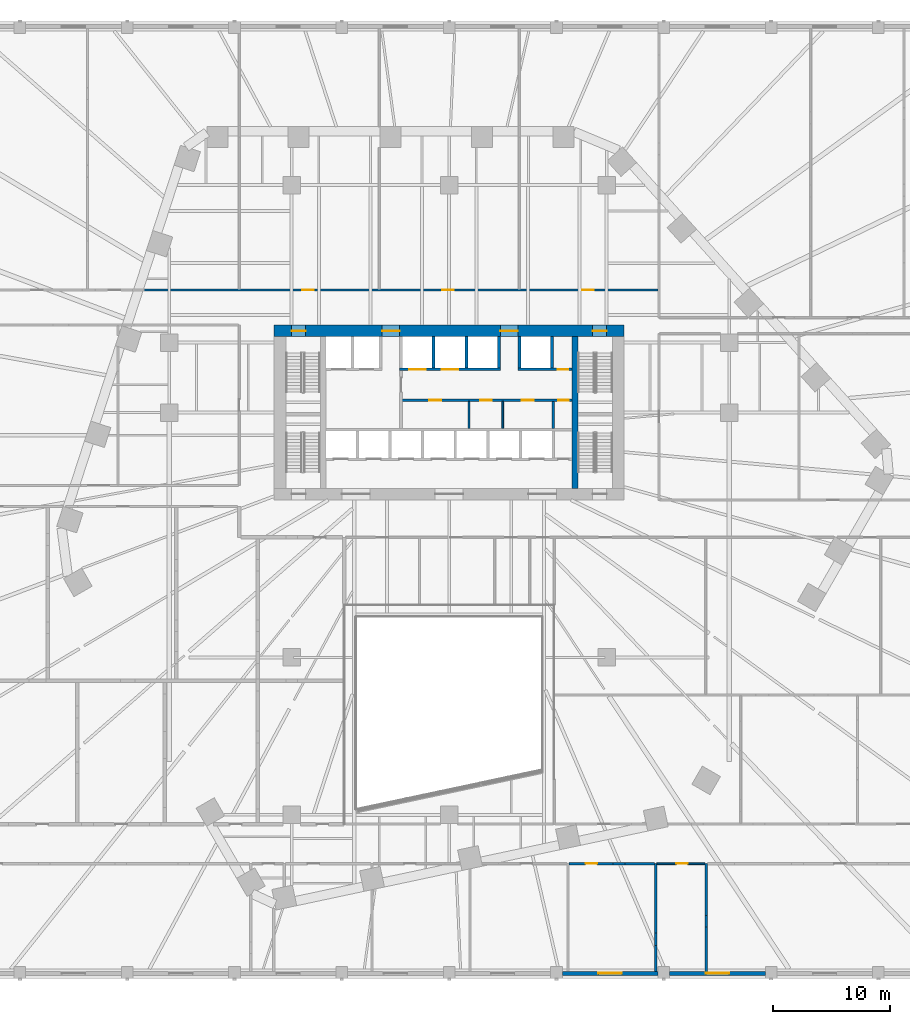
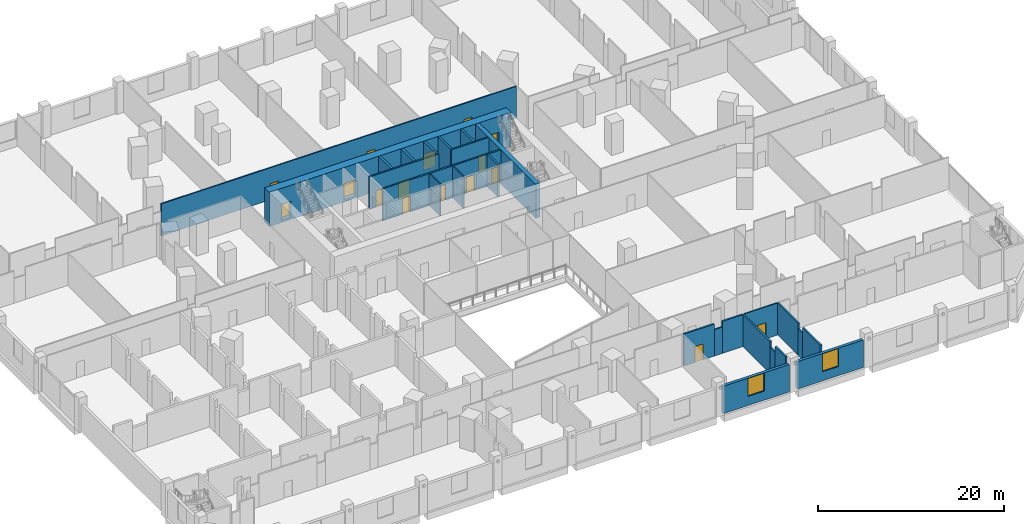
# One storey, part 17 of 33: 26 walls, 16 doors, 2 windows, 18 openings.
"""IFC4 building model written with IfcOpenShell, lengths in metres."""

from ifc_helpers import new_model, si_unit, direction, frame, frame_2d, origin, place, context, subcontext, project, spatial, rectangle, extrude, material, layer, layer_set, type_object, element, fill, save


model = new_model("IFC4")

# Units and contexts
model_context = context("Model", 3, precision=1e-05, world=origin(), true_north=direction((0.0, 1.0)))
body_context = subcontext(model_context, "Body", "Model", "MODEL_VIEW")
ifc_project = project(units=[si_unit("LENGTHUNIT", "METRE"), si_unit("AREAUNIT", "SQUARE_METRE"), si_unit("VOLUMEUNIT", "CUBIC_METRE"), si_unit("PLANEANGLEUNIT", "RADIAN"), si_unit("MASSUNIT", "GRAM", prefix="KILO")], contexts=[model_context])

# Site, building, storey
site_placement = place(None, origin())
site = spatial("IfcSite", under=ifc_project, at=site_placement, CompositionType="ELEMENT")
building_placement = place(site_placement, origin())
building = spatial("IfcBuilding", under=site, at=building_placement, Name="Isthmus Gate Tower", CompositionType="ELEMENT")
storey_placement = place(building_placement, frame((0.0, 0.0, 22.5)))
storey = spatial("IfcBuildingStorey", under=building, at=storey_placement, Name="L03", CompositionType="ELEMENT", Elevation=22.5)

# Wall, opening, door
ifc_material_1 = material(Name="Concrete f'c 30 MPa", Category="concrete")
ifc_layer_1 = layer(ifc_material_1, 0.199951171875)
ifc_layer_set_1 = layer_set([ifc_layer_1], Name="Fire-rated block wall 200")
wall_type_1 = type_object("IfcWallType", Name="Fire-rated block wall 200", PredefinedType="PARTITIONING", material=ifc_layer_set_1)
wall_1_placement = place(storey_placement, frame((10.2919921875, -31.178955078125, 0.0), z_axis=(0.0, 0.0, 1.0), x_axis=(1.0, 0.0, 0.0)))
wall_1 = element("IfcWall", 1, at=wall_1_placement, inside=storey, type_object=wall_type_1, Name="Fire-rated wall", PredefinedType="PARTITIONING", context=body_context, shape_type="SweptSolid", body=[
    extrude(rectangle(XDim=3.769775390625, YDim=0.199951171875, at=frame_2d((1.884765625, 0.0))), origin(), (0.0, 0.0, 1.0), 4.199951171875),
])
opening_1_placement = place(wall_1_placement, frame((1.39990234375, 0.0, 0.0)))
opening_1 = element("IfcOpeningElement", 2, at=opening_1_placement, cuts=wall_1, Name="Opening DP03-51", PredefinedType="OPENING", context=body_context, shape_type="SweptSolid", body=[
    extrude(rectangle(XDim=1.0, YDim=2.10009765625, at=frame_2d((0.5, 1.050048828125))), frame((0.0, 0.10986328125, 0.0), z_axis=(0.0, -1.0, 0.0), x_axis=(1.0, 0.0, 0.0)), (0.0, 0.0, 1.0), 0.219970703125),
])
ifc_material_2 = material(Name="Steel fire door with intumescent seals", Category="steel")
door_type_1 = type_object("IfcDoorType", Name="Fire door 1000 x 2100", OperationType="SINGLE_SWING_LEFT", PredefinedType="DOOR", material=ifc_material_2)
door_1_placement = place(opening_1_placement, origin())
door_1 = element("IfcDoor", 3, at=door_1_placement, inside=storey, type_object=door_type_1, Name="Door DP03-51", OperationType="SINGLE_SWING_LEFT", OverallHeight=2.10009765625, OverallWidth=1.0, PredefinedType="DOOR", context=body_context, shape_type="SweptSolid", body=[
    extrude(rectangle(XDim=1.0, YDim=2.10009765625, at=frame_2d((0.5, 1.050048828125))), frame((0.0, 0.02490234375, 0.0), z_axis=(0.0, -1.0, 0.0), x_axis=(1.0, 0.0, 0.0)), (0.0, 0.0, 1.0), 0.050048828125),
])
fill(opening_1, door_1)

# Walls
wall_2_placement = place(storey_placement, frame((14.061767578125, -31.178955078125, 0.0), z_axis=(0.0, 0.0, 1.0), x_axis=(1.0, 0.0, 0.0)))
element("IfcWall", 4, at=wall_2_placement, inside=storey, type_object=wall_type_1, Name="Fire-rated wall", PredefinedType="PARTITIONING", context=body_context, shape_type="SweptSolid", body=[
    extrude(rectangle(XDim=1.0, YDim=0.199951171875, at=frame_2d((0.5, 0.0))), origin(), (0.0, 0.0, 1.0), 3.45068359375),
])
wall_3_placement = place(storey_placement, frame((15.061767578125, -31.178955078125, 0.0), z_axis=(0.0, 0.0, 1.0), x_axis=(1.0, 0.0, 0.0)))
element("IfcWall", 5, at=wall_3_placement, inside=storey, type_object=wall_type_1, Name="Fire-rated wall", PredefinedType="PARTITIONING", context=body_context, shape_type="SweptSolid", body=[
    extrude(rectangle(XDim=2.55224609375, YDim=0.199951171875, at=frame_2d((1.276123046875, 0.0))), origin(), (0.0, 0.0, 1.0), 4.199951171875),
])
wall_4_placement = place(storey_placement, frame((17.714111328125, -40.39990234375, 0.0), z_axis=(0.0, 0.0, 1.0), x_axis=(0.0, 1.0, 0.0)))
element("IfcWall", 6, at=wall_4_placement, inside=storey, type_object=wall_type_1, Name="Fire-rated wall", PredefinedType="PARTITIONING", context=body_context, shape_type="SweptSolid", body=[
    extrude(rectangle(XDim=2.20849609375, YDim=0.199951171875, at=frame_2d((1.104248046875, 0.0))), origin(), (0.0, 0.0, 1.0), 4.199951171875),
])
wall_5_placement = place(storey_placement, frame((17.714111328125, -38.19140625, 0.0), z_axis=(0.0, 0.0, 1.0), x_axis=(0.0, 1.0, 0.0)))
element("IfcWall", 7, at=wall_5_placement, inside=storey, type_object=wall_type_1, Name="Fire-rated wall", PredefinedType="PARTITIONING", context=body_context, shape_type="SweptSolid", body=[
    extrude(rectangle(XDim=1.059814453125, YDim=0.199951171875, at=frame_2d((0.52978515625, 0.0))), origin(), (0.0, 0.0, 1.0), 3.45068359375),
])
wall_6_placement = place(storey_placement, frame((17.714111328125, -37.131591796875, 0.0), z_axis=(0.0, 0.0, 1.0), x_axis=(0.0, 1.0, 0.0)))
element("IfcWall", 8, at=wall_6_placement, inside=storey, type_object=wall_type_1, Name="Fire-rated wall", PredefinedType="PARTITIONING", context=body_context, shape_type="SweptSolid", body=[
    extrude(rectangle(XDim=5.95263671875, YDim=0.199951171875, at=frame_2d((2.976318359375, 0.0))), origin(), (0.0, 0.0, 1.0), 4.199951171875),
])
wall_7_placement = place(storey_placement, frame((22.031982421875, -40.39990234375, 0.0), z_axis=(0.0, 0.0, 1.0), x_axis=(0.0, 1.0, 0.0)))
element("IfcWall", 9, at=wall_7_placement, inside=storey, type_object=wall_type_1, Name="Fire-rated wall", PredefinedType="PARTITIONING", context=body_context, shape_type="SweptSolid", body=[
    extrude(rectangle(XDim=3.776123046875, YDim=0.199951171875, at=frame_2d((1.88818359375, 0.0))), origin(), (0.0, 0.0, 1.0), 4.199951171875),
])
wall_8_placement = place(storey_placement, frame((22.031982421875, -36.623779296875, 0.0), z_axis=(0.0, 0.0, 1.0), x_axis=(0.0, 1.0, 0.0)))
element("IfcWall", 10, at=wall_8_placement, inside=storey, type_object=wall_type_1, Name="Fire-rated wall", PredefinedType="PARTITIONING", context=body_context, shape_type="SweptSolid", body=[
    extrude(rectangle(XDim=1.0, YDim=0.199951171875, at=frame_2d((0.5, 0.0))), origin(), (0.0, 0.0, 1.0), 3.45068359375),
])
wall_9_placement = place(storey_placement, frame((22.031982421875, -35.623779296875, 0.0), z_axis=(0.0, 0.0, 1.0), x_axis=(0.0, 1.0, 0.0)))
element("IfcWall", 11, at=wall_9_placement, inside=storey, type_object=wall_type_1, Name="Fire-rated wall", PredefinedType="PARTITIONING", context=body_context, shape_type="SweptSolid", body=[
    extrude(rectangle(XDim=4.44482421875, YDim=0.199951171875, at=frame_2d((2.222412109375, 0.0))), origin(), (0.0, 0.0, 1.0), 4.199951171875),
])

# Wall, opening, window
ifc_material_3 = material(Name="Precast concrete C40/50, limestone-faced", Category="masonry")
ifc_layer_2 = layer(ifc_material_3, 0.35009765625)
ifc_layer_set_2 = layer_set([ifc_layer_2], Name="PODIUM CLADDING WALL 350")
wall_type_2 = type_object("IfcWallType", Name="PODIUM CLADDING WALL 350", PredefinedType="SOLIDWALL", material=ifc_layer_set_2)
wall_10_placement = place(storey_placement, frame((9.699951171875, -40.574951171875, -0.300048828125), z_axis=(0.0, 0.0, 1.0), x_axis=(1.0, 0.0, 0.0)))
wall_10 = element("IfcWall", 12, at=wall_10_placement, inside=storey, type_object=wall_type_2, Name="PODIUM WALL", PredefinedType="SOLIDWALL", context=body_context, shape_type="SweptSolid", body=[
    extrude(rectangle(XDim=8.199951171875, YDim=0.35009765625, at=frame_2d((4.10009765625, 0.0))), origin(), (0.0, 0.0, 1.0), 3.60009765625),
])
opening_2_placement = place(wall_10_placement, frame((3.10009765625, 0.0, 1.199951171875)))
opening_2 = element("IfcOpeningElement", 13, at=opening_2_placement, cuts=wall_10, Name="Opening W039", PredefinedType="OPENING", context=body_context, shape_type="SweptSolid", body=[
    extrude(rectangle(XDim=2.0, YDim=2.35009765625, at=frame_2d((1.0, 1.175048828125))), frame((0.0, 0.18505859375, 0.0), z_axis=(0.0, -1.0, 0.0), x_axis=(1.0, 0.0, 0.0)), (0.0, 0.0, 1.0), 0.3701171875),
])
ifc_material_4 = material(Name="Aluminium, pale champagne anodised, laminated glass", Category="aluminium")
window_type = type_object("IfcWindowType", Name="PODIUM SLOT WINDOW 2000 X 2350", PartitioningType="SINGLE_PANEL", PredefinedType="WINDOW", material=ifc_material_4)
window_1_placement = place(opening_2_placement, origin())
window_1 = element("IfcWindow", 14, at=window_1_placement, inside=storey, type_object=window_type, Name="SLOT WINDOW", OverallHeight=2.35009765625, OverallWidth=2.0, PartitioningType="SINGLE_PANEL", PredefinedType="WINDOW", context=body_context, shape_type="SweptSolid", body=[
    extrude(rectangle(XDim=2.0, YDim=2.35009765625, at=frame_2d((1.0, 1.175048828125))), frame((0.0, 0.030029296875, 0.0), z_axis=(0.0, -1.0, 0.0), x_axis=(1.0, 0.0, 0.0)), (0.0, 0.0, 1.0), 0.06005859375),
])
fill(opening_2, window_1)

wall_11_placement = place(storey_placement, frame((18.89990234375, -40.574951171875, -0.300048828125), z_axis=(0.0, 0.0, 1.0), x_axis=(1.0, 0.0, 0.0)))
wall_11 = element("IfcWall", 15, at=wall_11_placement, inside=storey, type_object=wall_type_2, Name="PODIUM WALL", PredefinedType="SOLIDWALL", context=body_context, shape_type="SweptSolid", body=[
    extrude(rectangle(XDim=8.2001953125, YDim=0.35009765625, at=frame_2d((4.10009765625, 0.0))), origin(), (0.0, 0.0, 1.0), 3.60009765625),
])
opening_3_placement = place(wall_11_placement, frame((3.10009765625, 0.0, 1.199951171875)))
opening_3 = element("IfcOpeningElement", 16, at=opening_3_placement, cuts=wall_11, Name="Opening W040", PredefinedType="OPENING", context=body_context, shape_type="SweptSolid", body=[
    extrude(rectangle(XDim=2.0, YDim=2.35009765625, at=frame_2d((1.0, 1.175048828125))), frame((0.0, 0.18505859375, 0.0), z_axis=(0.0, -1.0, 0.0), x_axis=(1.0, 0.0, 0.0)), (0.0, 0.0, 1.0), 0.3701171875),
])
window_2_placement = place(opening_3_placement, origin())
window_2 = element("IfcWindow", 17, at=window_2_placement, inside=storey, type_object=window_type, Name="SLOT WINDOW", OverallHeight=2.35009765625, OverallWidth=2.0, PartitioningType="SINGLE_PANEL", PredefinedType="WINDOW", context=body_context, shape_type="SweptSolid", body=[
    extrude(rectangle(XDim=2.0, YDim=2.35009765625, at=frame_2d((1.0, 1.175048828125))), frame((0.0, 0.030029296875, 0.0), z_axis=(0.0, -1.0, 0.0), x_axis=(1.0, 0.0, 0.0)), (0.0, 0.0, 1.0), 0.06005859375),
])
fill(opening_3, window_2)

# Wall, opening, door
ifc_material_5 = material(Name="Gypsum board on cold-formed steel studs", Category="steel")
ifc_layer_3 = layer(ifc_material_5, 0.14990234375)
ifc_layer_set_3 = layer_set([ifc_layer_3])
wall_type_3 = type_object("IfcWallType", Name="Partition 150 gypsum board on steel studs", PredefinedType="PARTITIONING", material=ifc_layer_set_3)
wall_12_placement = place(storey_placement, frame((17.81396484375, -31.178955078125, 0.0), z_axis=(0.0, 0.0, 1.0), x_axis=(1.0, 0.0, 0.0)))
wall_12 = element("IfcWall", 18, at=wall_12_placement, inside=storey, type_object=wall_type_3, Name="Partition", PredefinedType="PARTITIONING", context=body_context, shape_type="SweptSolid", body=[
    extrude(rectangle(XDim=4.117919921875, YDim=0.14990234375, at=frame_2d((2.05908203125, 0.0))), origin(), (0.0, 0.0, 1.0), 4.199951171875),
])
opening_4_placement = place(wall_12_placement, frame((1.64990234375, 0.0, 0.0)))
opening_4 = element("IfcOpeningElement", 19, at=opening_4_placement, cuts=wall_12, Name="Opening DP03-52", PredefinedType="OPENING", context=body_context, shape_type="SweptSolid", body=[
    extrude(rectangle(XDim=1.0, YDim=2.10009765625, at=frame_2d((0.5, 1.050048828125))), frame((0.0, 0.0849609375, 0.0), z_axis=(0.0, -1.0, 0.0), x_axis=(1.0, 0.0, 0.0)), (0.0, 0.0, 1.0), 0.169921875),
])
ifc_material_6 = material(Name="Hollow metal frame with solid-core timber leaf", Category="wood")
door_type_2 = type_object("IfcDoorType", Name="Single swing door 1000 x 2100", OperationType="SINGLE_SWING_LEFT", PredefinedType="DOOR", material=ifc_material_6)
door_2_placement = place(opening_4_placement, origin())
door_2 = element("IfcDoor", 20, at=door_2_placement, inside=storey, type_object=door_type_2, Name="Door DP03-52", OperationType="SINGLE_SWING_LEFT", OverallHeight=2.10009765625, OverallWidth=1.0, PredefinedType="DOOR", context=body_context, shape_type="SweptSolid", body=[
    extrude(rectangle(XDim=1.0, YDim=2.10009765625, at=frame_2d((0.5, 1.050048828125))), frame((0.0, 0.02490234375, 0.0), z_axis=(0.0, -1.0, 0.0), x_axis=(1.0, 0.0, 0.0)), (0.0, 0.0, 1.0), 0.050048828125),
])
fill(opening_4, door_2)

# Wall, openings, doors
wall_13_placement = place(storey_placement, frame((-26.142333984375, 18.0, 0.0), z_axis=(0.0, 0.0, 1.0), x_axis=(1.0, 0.0, 0.0)))
wall_13 = element("IfcWall", 21, at=wall_13_placement, inside=storey, type_object=wall_type_3, Name="Partition", PredefinedType="PARTITIONING", context=body_context, shape_type="SweptSolid", body=[
    extrude(rectangle(XDim=44.0673828125, YDim=0.14990234375, at=frame_2d((22.03369140625, 0.0))), origin(), (0.0, 0.0, 1.0), 4.199951171875),
])
opening_5_placement = place(wall_13_placement, frame((13.54248046875, 0.0, 0.0)))
opening_5 = element("IfcOpeningElement", 22, at=opening_5_placement, cuts=wall_13, Name="Opening DP03-34", PredefinedType="OPENING", context=body_context, shape_type="SweptSolid", body=[
    extrude(rectangle(XDim=1.0, YDim=2.10009765625, at=frame_2d((0.5, 1.050048828125))), frame((0.0, 0.0849609375, 0.0), z_axis=(0.0, -1.0, 0.0), x_axis=(1.0, 0.0, 0.0)), (0.0, 0.0, 1.0), 0.169921875),
])
opening_6_placement = place(wall_13_placement, frame((25.54248046875, 0.0, 0.0)))
opening_6 = element("IfcOpeningElement", 23, at=opening_6_placement, cuts=wall_13, Name="Opening DP03-35", PredefinedType="OPENING", context=body_context, shape_type="SweptSolid", body=[
    extrude(rectangle(XDim=1.0, YDim=2.10009765625, at=frame_2d((0.5, 1.050048828125))), frame((0.0, 0.0849609375, 0.0), z_axis=(0.0, -1.0, 0.0), x_axis=(1.0, 0.0, 0.0)), (0.0, 0.0, 1.0), 0.169921875),
])
opening_7_placement = place(wall_13_placement, frame((37.54248046875, 0.0, 0.0)))
opening_7 = element("IfcOpeningElement", 24, at=opening_7_placement, cuts=wall_13, Name="Opening DP03-36", PredefinedType="OPENING", context=body_context, shape_type="SweptSolid", body=[
    extrude(rectangle(XDim=1.0, YDim=2.10009765625, at=frame_2d((0.5, 1.050048828125))), frame((0.0, 0.0849609375, 0.0), z_axis=(0.0, -1.0, 0.0), x_axis=(1.0, 0.0, 0.0)), (0.0, 0.0, 1.0), 0.169921875),
])
door_3_placement = place(opening_5_placement, origin())
door_3 = element("IfcDoor", 25, at=door_3_placement, inside=storey, type_object=door_type_2, Name="Door DP03-34", OperationType="SINGLE_SWING_LEFT", OverallHeight=2.10009765625, OverallWidth=1.0, PredefinedType="DOOR", context=body_context, shape_type="SweptSolid", body=[
    extrude(rectangle(XDim=1.0, YDim=2.10009765625, at=frame_2d((0.5, 1.050048828125))), frame((0.0, 0.02490234375, 0.0), z_axis=(0.0, -1.0, 0.0), x_axis=(1.0, 0.0, 0.0)), (0.0, 0.0, 1.0), 0.050048828125),
])
fill(opening_5, door_3)
door_4_placement = place(opening_6_placement, origin())
door_4 = element("IfcDoor", 26, at=door_4_placement, inside=storey, type_object=door_type_2, Name="Door DP03-35", OperationType="SINGLE_SWING_LEFT", OverallHeight=2.10009765625, OverallWidth=1.0, PredefinedType="DOOR", context=body_context, shape_type="SweptSolid", body=[
    extrude(rectangle(XDim=1.0, YDim=2.10009765625, at=frame_2d((0.5, 1.050048828125))), frame((0.0, 0.02490234375, 0.0), z_axis=(0.0, -1.0, 0.0), x_axis=(1.0, 0.0, 0.0)), (0.0, 0.0, 1.0), 0.050048828125),
])
fill(opening_6, door_4)
door_5_placement = place(opening_7_placement, origin())
door_5 = element("IfcDoor", 27, at=door_5_placement, inside=storey, type_object=door_type_2, Name="Door DP03-36", OperationType="SINGLE_SWING_LEFT", OverallHeight=2.10009765625, OverallWidth=1.0, PredefinedType="DOOR", context=body_context, shape_type="SweptSolid", body=[
    extrude(rectangle(XDim=1.0, YDim=2.10009765625, at=frame_2d((0.5, 1.050048828125))), frame((0.0, 0.02490234375, 0.0), z_axis=(0.0, -1.0, 0.0), x_axis=(1.0, 0.0, 0.0)), (0.0, 0.0, 1.0), 0.050048828125),
])
fill(opening_7, door_5)

# Wall
ifc_material_7 = material(Name="Concrete f'c 70 MPa", Category="concrete")
ifc_layer_4 = layer(ifc_material_7, 0.5)
ifc_layer_set_4 = layer_set([ifc_layer_4], Name="RC CORE SPINE WALL 500 F'C 70")
wall_type_4 = type_object("IfcWallType", Name="RC CORE SPINE WALL 500 F'C 70", PredefinedType="SOLIDWALL", material=ifc_layer_set_4)
wall_14_placement = place(storey_placement, frame((10.800048828125, 1.0, -0.300048828125), z_axis=(0.0, 0.0, 1.0), x_axis=(0.0, 1.0, 0.0)))
element("IfcWall", 28, at=wall_14_placement, inside=storey, type_object=wall_type_4, Name="str-corewall-L03-SPE", PredefinedType="SOLIDWALL", context=body_context, shape_type="SweptSolid", body=[
    extrude(rectangle(XDim=13.0, YDim=0.5, at=frame_2d((6.5, 0.0))), origin(), (0.0, 0.0, 1.0), 4.5),
])

# Wall, openings, doors
ifc_material_8 = material(Name="Concrete f'c 70 MPa", Category="concrete")
ifc_layer_5 = layer(ifc_material_8, 1.0)
ifc_layer_set_5 = layer_set([ifc_layer_5], Name="RC CORE WALL 1000 F'C 70")
wall_type_5 = type_object("IfcWallType", Name="RC CORE WALL 1000 F'C 70", PredefinedType="SOLIDWALL", material=ifc_layer_set_5)
wall_15_placement = place(storey_placement, frame((-15.0, 14.5, -0.300048828125), z_axis=(0.0, 0.0, 1.0), x_axis=(1.0, 0.0, 0.0)))
wall_15 = element("IfcWall", 29, at=wall_15_placement, inside=storey, type_object=wall_type_5, Name="str-corewall-L03-N", PredefinedType="SOLIDWALL", context=body_context, shape_type="SweptSolid", body=[
    extrude(rectangle(XDim=30.0, YDim=1.0, at=frame_2d((15.0, 0.0))), origin(), (0.0, 0.0, 1.0), 4.5),
])
opening_8_placement = place(wall_15_placement, frame((9.25, 0.0, 0.300048828125)))
opening_8 = element("IfcOpeningElement", 30, at=opening_8_placement, cuts=wall_15, Name="Opening DC-A04-11", PredefinedType="OPENING", context=body_context, shape_type="SweptSolid", body=[
    extrude(rectangle(XDim=1.5, YDim=2.10009765625, at=frame_2d((0.75, 1.050048828125))), frame((0.0, 0.510009765625, 0.0), z_axis=(0.0, -1.0, 0.0), x_axis=(1.0, 0.0, 0.0)), (0.0, 0.0, 1.0), 1.02001953125),
])
opening_9_placement = place(wall_15_placement, frame((19.39990234375, 0.0, 0.300048828125)))
opening_9 = element("IfcOpeningElement", 31, at=opening_9_placement, cuts=wall_15, Name="Opening DC-A04-12", PredefinedType="OPENING", context=body_context, shape_type="SweptSolid", body=[
    extrude(rectangle(XDim=1.5, YDim=2.10009765625, at=frame_2d((0.75, 1.050048828125))), frame((0.0, 0.510009765625, 0.0), z_axis=(0.0, -1.0, 0.0), x_axis=(1.0, 0.0, 0.0)), (0.0, 0.0, 1.0), 1.02001953125),
])
opening_10_placement = place(wall_15_placement, frame((1.5, 0.0, 0.300048828125)))
opening_10 = element("IfcOpeningElement", 32, at=opening_10_placement, cuts=wall_15, Name="Opening DC-A04-13", PredefinedType="OPENING", context=body_context, shape_type="SweptSolid", body=[
    extrude(rectangle(XDim=1.199951171875, YDim=2.10009765625, at=frame_2d((0.60009765625, 1.050048828125))), frame((0.0, 0.510009765625, 0.0), z_axis=(0.0, -1.0, 0.0), x_axis=(1.0, 0.0, 0.0)), (0.0, 0.0, 1.0), 1.02001953125),
])
opening_11_placement = place(wall_15_placement, frame((27.300048828125, 0.0, 0.300048828125)))
opening_11 = element("IfcOpeningElement", 33, at=opening_11_placement, cuts=wall_15, Name="Opening DC-A04-14", PredefinedType="OPENING", context=body_context, shape_type="SweptSolid", body=[
    extrude(rectangle(XDim=1.199951171875, YDim=2.10009765625, at=frame_2d((0.60009765625, 1.050048828125))), frame((0.0, 0.510009765625, 0.0), z_axis=(0.0, -1.0, 0.0), x_axis=(1.0, 0.0, 0.0)), (0.0, 0.0, 1.0), 1.02001953125),
])
ifc_material_9 = material(Name="Steel door leaf, fire-rated", Category="steel")
door_type_3 = type_object("IfcDoorType", Name="LOBBY FIRE DOOR 1500 X 2100 60 MIN", OperationType="DOUBLE_DOOR_SINGLE_SWING", PredefinedType="DOOR", material=ifc_material_9)
door_6_placement = place(opening_9_placement, origin())
door_6 = element("IfcDoor", 34, at=door_6_placement, inside=storey, type_object=door_type_3, Name="Lobby Door PN-E", OperationType="DOUBLE_DOOR_SINGLE_SWING", OverallHeight=2.10009765625, OverallWidth=1.5, PredefinedType="DOOR", context=body_context, shape_type="SweptSolid", body=[
    extrude(rectangle(XDim=1.5, YDim=2.10009765625, at=frame_2d((0.75, 1.050048828125))), frame((0.0, 0.02490234375, 0.0), z_axis=(0.0, -1.0, 0.0), x_axis=(1.0, 0.0, 0.0)), (0.0, 0.0, 1.0), 0.050048828125),
])
fill(opening_9, door_6)
ifc_material_10 = material(Name="Steel door leaf, fire-rated", Category="steel")
door_type_4 = type_object("IfcDoorType", Name="LOBBY FIRE DOOR 1500 X 2100 90 MIN", OperationType="DOUBLE_DOOR_SINGLE_SWING", PredefinedType="DOOR", material=ifc_material_10)
door_7_placement = place(opening_8_placement, origin())
door_7 = element("IfcDoor", 35, at=door_7_placement, inside=storey, type_object=door_type_4, Name="Lobby Door PN-W", OperationType="DOUBLE_DOOR_SINGLE_SWING", OverallHeight=2.10009765625, OverallWidth=1.5, PredefinedType="DOOR", context=body_context, shape_type="SweptSolid", body=[
    extrude(rectangle(XDim=1.5, YDim=2.10009765625, at=frame_2d((0.75, 1.050048828125))), frame((0.0, 0.02490234375, 0.0), z_axis=(0.0, -1.0, 0.0), x_axis=(1.0, 0.0, 0.0)), (0.0, 0.0, 1.0), 0.050048828125),
])
fill(opening_8, door_7)
ifc_material_11 = material(Name="Steel door leaf, fire-rated", Category="steel")
door_type_5 = type_object("IfcDoorType", Name="STAIR FIRE DOOR 1200 X 2100 90 MIN", OperationType="SINGLE_SWING_LEFT", PredefinedType="DOOR", material=ifc_material_11)
door_8_placement = place(opening_10_placement, origin())
door_8 = element("IfcDoor", 36, at=door_8_placement, inside=storey, type_object=door_type_5, Name="Exit Stair 1 Door", OperationType="SINGLE_SWING_RIGHT", OverallHeight=2.10009765625, OverallWidth=1.199951171875, PredefinedType="DOOR", context=body_context, shape_type="SweptSolid", body=[
    extrude(rectangle(XDim=1.199951171875, YDim=2.10009765625, at=frame_2d((0.60009765625, 1.050048828125))), frame((0.0, 0.02490234375, 0.0), z_axis=(0.0, -1.0, 0.0), x_axis=(1.0, 0.0, 0.0)), (0.0, 0.0, 1.0), 0.050048828125),
])
fill(opening_10, door_8)
door_9_placement = place(opening_11_placement, origin())
door_9 = element("IfcDoor", 37, at=door_9_placement, inside=storey, type_object=door_type_5, Name="Exit Stair 2 Door", OperationType="SINGLE_SWING_LEFT", OverallHeight=2.10009765625, OverallWidth=1.199951171875, PredefinedType="DOOR", context=body_context, shape_type="SweptSolid", body=[
    extrude(rectangle(XDim=1.199951171875, YDim=2.10009765625, at=frame_2d((0.60009765625, 1.050048828125))), frame((0.0, 0.02490234375, 0.0), z_axis=(0.0, -1.0, 0.0), x_axis=(1.0, 0.0, 0.0)), (0.0, 0.0, 1.0), 0.050048828125),
])
fill(opening_11, door_9)

# Walls
ifc_material_12 = material(Name="Gypsum board on steel studs, fire-rated", Category="steel")
ifc_layer_6 = layer(ifc_material_12, 0.14990234375)
ifc_layer_set_6 = layer_set([ifc_layer_6], Name="ROOM PARTITION 150 60 MIN")
wall_type_6 = type_object("IfcWallType", Name="ROOM PARTITION 150 60 MIN", PredefinedType="PARTITIONING", material=ifc_layer_set_6)
for number, where, z_axis, x_axis, name in (
    (38, (1.699951171875, 6.14990234375, 0.0), (0.0, 0.0, 1.0), (0.0, 1.0, 0.0), "L03 ROOM PARTITION 150 60 MIN"),
    (39, (4.60009765625, 6.14990234375, 0.0), (0.0, 0.0, 1.0), (0.0, 1.0, 0.0), "L03 ROOM PARTITION 150 60 MIN"),
):
    element("IfcWall", number, at=place(storey_placement, frame(where, z_axis=z_axis, x_axis=x_axis)), inside=storey, type_object=wall_type_6, Name=name, PredefinedType="PARTITIONING", context=body_context, shape_type="SweptSolid", body=[
        extrude(rectangle(XDim=2.300048828125, YDim=0.14990234375, at=frame_2d((1.14990234375, 0.0))), origin(), (0.0, 0.0, 1.0), 4.199951171875),
    ])

# Wall, openings, doors
ifc_material_13 = material(Name="Fire-rated blockwork masonry, 15 MPa", Category="masonry")
ifc_layer_7 = layer(ifc_material_13, 0.199951171875)
ifc_layer_set_7 = layer_set([ifc_layer_7], Name="SHAFT FRONT WALL 200 120 MIN")
wall_type_7 = type_object("IfcWallType", Name="SHAFT FRONT WALL 200 120 MIN", PredefinedType="PARTITIONING", material=ifc_layer_set_7)
wall_16_placement = place(storey_placement, frame((-4.125, 8.550048828125, 0.0), z_axis=(0.0, 0.0, 1.0), x_axis=(1.0, 0.0, 0.0)))
wall_16 = element("IfcWall", 40, at=wall_16_placement, inside=storey, type_object=wall_type_7, Name="L03 SHAFT FRONT WALL 200 120 MIN", PredefinedType="PARTITIONING", context=body_context, shape_type="SweptSolid", body=[
    extrude(rectangle(XDim=14.675048828125, YDim=0.199951171875, at=frame_2d((7.33740234375, 0.0))), origin(), (0.0, 0.0, 1.0), 4.199951171875),
])
opening_12_placement = place(wall_16_placement, frame((2.4375, 0.0, 0.0)))
opening_12 = element("IfcOpeningElement", 41, at=opening_12_placement, cuts=wall_16, Name="Opening DC-A04-03", PredefinedType="OPENING", context=body_context, shape_type="SweptSolid", body=[
    extrude(rectangle(XDim=1.0, YDim=2.10009765625, at=frame_2d((0.5, 1.050048828125))), frame((0.0, 0.10986328125, 0.0), z_axis=(0.0, -1.0, 0.0), x_axis=(1.0, 0.0, 0.0)), (0.0, 0.0, 1.0), 0.219970703125),
])
opening_13_placement = place(wall_16_placement, frame((6.77490234375, 0.0, 0.0)))
opening_13 = element("IfcOpeningElement", 42, at=opening_13_placement, cuts=wall_16, Name="Opening DC-A04-04", PredefinedType="OPENING", context=body_context, shape_type="SweptSolid", body=[
    extrude(rectangle(XDim=1.0, YDim=2.10009765625, at=frame_2d((0.5, 1.050048828125))), frame((0.0, 0.10986328125, 0.0), z_axis=(0.0, -1.0, 0.0), x_axis=(1.0, 0.0, 0.0)), (0.0, 0.0, 1.0), 0.219970703125),
])
opening_14_placement = place(wall_16_placement, frame((10.362548828125, 0.0, 0.0)))
opening_14 = element("IfcOpeningElement", 43, at=opening_14_placement, cuts=wall_16, Name="Opening DC-A04-05", PredefinedType="OPENING", context=body_context, shape_type="SweptSolid", body=[
    extrude(rectangle(XDim=1.0, YDim=2.10009765625, at=frame_2d((0.5, 1.050048828125))), frame((0.0, 0.10986328125, 0.0), z_axis=(0.0, -1.0, 0.0), x_axis=(1.0, 0.0, 0.0)), (0.0, 0.0, 1.0), 0.219970703125),
])
opening_15_placement = place(wall_16_placement, frame((13.47509765625, 0.0, 0.0)))
opening_15 = element("IfcOpeningElement", 44, at=opening_15_placement, cuts=wall_16, Name="Opening DC-A04-06", PredefinedType="OPENING", context=body_context, shape_type="SweptSolid", body=[
    extrude(rectangle(XDim=0.89990234375, YDim=2.10009765625, at=frame_2d((0.449951171875, 1.050048828125))), frame((0.0, 0.10986328125, 0.0), z_axis=(0.0, -1.0, 0.0), x_axis=(1.0, 0.0, 0.0)), (0.0, 0.0, 1.0), 0.219970703125),
])
ifc_material_14 = material(Name="Steel door leaf, fire-rated", Category="steel")
door_type_6 = type_object("IfcDoorType", Name="FIRE DOOR 1000 X 2100 60 MIN", OperationType="SINGLE_SWING_LEFT", PredefinedType="DOOR", material=ifc_material_14)
door_10_placement = place(opening_12_placement, origin())
door_10 = element("IfcDoor", 45, at=door_10_placement, inside=storey, type_object=door_type_6, Name="WC Men Door", OperationType="SINGLE_SWING_LEFT", OverallHeight=2.10009765625, OverallWidth=1.0, PredefinedType="DOOR", context=body_context, shape_type="SweptSolid", body=[
    extrude(rectangle(XDim=1.0, YDim=2.10009765625, at=frame_2d((0.5, 1.050048828125))), frame((0.0, 0.02490234375, 0.0), z_axis=(0.0, -1.0, 0.0), x_axis=(1.0, 0.0, 0.0)), (0.0, 0.0, 1.0), 0.050048828125),
])
fill(opening_12, door_10)
door_11_placement = place(opening_13_placement, origin())
door_11 = element("IfcDoor", 46, at=door_11_placement, inside=storey, type_object=door_type_6, Name="Accessible WC Door", OperationType="SINGLE_SWING_RIGHT", OverallHeight=2.10009765625, OverallWidth=1.0, PredefinedType="DOOR", context=body_context, shape_type="SweptSolid", body=[
    extrude(rectangle(XDim=1.0, YDim=2.10009765625, at=frame_2d((0.5, 1.050048828125))), frame((0.0, 0.02490234375, 0.0), z_axis=(0.0, -1.0, 0.0), x_axis=(1.0, 0.0, 0.0)), (0.0, 0.0, 1.0), 0.050048828125),
])
fill(opening_13, door_11)
door_12_placement = place(opening_14_placement, origin())
door_12 = element("IfcDoor", 47, at=door_12_placement, inside=storey, type_object=door_type_6, Name="WC Women Door", OperationType="SINGLE_SWING_LEFT", OverallHeight=2.10009765625, OverallWidth=1.0, PredefinedType="DOOR", context=body_context, shape_type="SweptSolid", body=[
    extrude(rectangle(XDim=1.0, YDim=2.10009765625, at=frame_2d((0.5, 1.050048828125))), frame((0.0, 0.02490234375, 0.0), z_axis=(0.0, -1.0, 0.0), x_axis=(1.0, 0.0, 0.0)), (0.0, 0.0, 1.0), 0.050048828125),
])
fill(opening_14, door_12)
ifc_material_15 = material(Name="Steel door leaf, fire-rated", Category="steel")
door_type_7 = type_object("IfcDoorType", Name="RISER FIRE DOOR 900 X 2100 90 MIN", OperationType="SINGLE_SWING_LEFT", PredefinedType="DOOR", material=ifc_material_15)
door_13_placement = place(opening_15_placement, origin())
door_13 = element("IfcDoor", 48, at=door_13_placement, inside=storey, type_object=door_type_7, Name="Riser Door", OperationType="SINGLE_SWING_RIGHT", OverallHeight=2.10009765625, OverallWidth=0.89990234375, PredefinedType="DOOR", context=body_context, shape_type="SweptSolid", body=[
    extrude(rectangle(XDim=0.89990234375, YDim=2.10009765625, at=frame_2d((0.449951171875, 1.050048828125))), frame((0.0, 0.02490234375, 0.0), z_axis=(0.0, -1.0, 0.0), x_axis=(1.0, 0.0, 0.0)), (0.0, 0.0, 1.0), 0.050048828125),
])
fill(opening_15, door_13)

wall_17_placement = place(storey_placement, frame((-4.25, 11.199951171875, 0.0), z_axis=(0.0, 0.0, 1.0), x_axis=(1.0, 0.0, 0.0)))
wall_17 = element("IfcWall", 49, at=wall_17_placement, inside=storey, type_object=wall_type_7, Name="L03 SHAFT FRONT WALL 200 120 MIN", PredefinedType="PARTITIONING", context=body_context, shape_type="SweptSolid", body=[
    extrude(rectangle(XDim=8.64990234375, YDim=0.199951171875, at=frame_2d((4.324951171875, 0.0))), origin(), (0.0, 0.0, 1.0), 4.199951171875),
])
opening_16_placement = place(wall_17_placement, frame((0.824951171875, 0.0, 0.0)))
opening_16 = element("IfcOpeningElement", 50, at=opening_16_placement, cuts=wall_17, Name="Opening LD-LV1", PredefinedType="OPENING", context=body_context, shape_type="SweptSolid", body=[
    extrude(rectangle(XDim=1.39990234375, YDim=2.10009765625, at=frame_2d((0.699951171875, 1.050048828125))), frame((0.0, 0.10986328125, 0.0), z_axis=(0.0, -1.0, 0.0), x_axis=(1.0, 0.0, 0.0)), (0.0, 0.0, 1.0), 0.219970703125),
])
opening_17_placement = place(wall_17_placement, frame((3.625, 0.0, 0.0)))
opening_17 = element("IfcOpeningElement", 51, at=opening_17_placement, cuts=wall_17, Name="Opening LD-LV2", PredefinedType="OPENING", context=body_context, shape_type="SweptSolid", body=[
    extrude(rectangle(XDim=1.39990234375, YDim=2.10009765625, at=frame_2d((0.699951171875, 1.050048828125))), frame((0.0, 0.10986328125, 0.0), z_axis=(0.0, -1.0, 0.0), x_axis=(1.0, 0.0, 0.0)), (0.0, 0.0, 1.0), 0.219970703125),
])
ifc_material_16 = material(Name="Stainless steel sliding leaf", Category="steel")
door_type_8 = type_object("IfcDoorType", Name="LIFT LANDING FIRE DOOR 1400 X 2100 90 MIN", OperationType="DOUBLE_DOOR_SLIDING", PredefinedType="DOOR", material=ifc_material_16)
door_14_placement = place(opening_16_placement, origin())
door_14 = element("IfcDoor", 52, at=door_14_placement, inside=storey, type_object=door_type_8, Name="Lift Landing Door LV1", OperationType="DOUBLE_DOOR_SLIDING", OverallHeight=2.10009765625, OverallWidth=1.39990234375, PredefinedType="DOOR", context=body_context, shape_type="SweptSolid", body=[
    extrude(rectangle(XDim=1.39990234375, YDim=2.10009765625, at=frame_2d((0.699951171875, 1.050048828125))), frame((0.0, 0.02490234375, 0.0), z_axis=(0.0, -1.0, 0.0), x_axis=(1.0, 0.0, 0.0)), (0.0, 0.0, 1.0), 0.050048828125),
])
fill(opening_16, door_14)
door_15_placement = place(opening_17_placement, origin())
door_15 = element("IfcDoor", 53, at=door_15_placement, inside=storey, type_object=door_type_8, Name="Lift Landing Door LV2", OperationType="DOUBLE_DOOR_SLIDING", OverallHeight=2.10009765625, OverallWidth=1.39990234375, PredefinedType="DOOR", context=body_context, shape_type="SweptSolid", body=[
    extrude(rectangle(XDim=1.39990234375, YDim=2.10009765625, at=frame_2d((0.699951171875, 1.050048828125))), frame((0.0, 0.02490234375, 0.0), z_axis=(0.0, -1.0, 0.0), x_axis=(1.0, 0.0, 0.0)), (0.0, 0.0, 1.0), 0.050048828125),
])
fill(opening_17, door_15)

# Wall, opening, door
wall_18_placement = place(storey_placement, frame((5.89990234375, 11.199951171875, 0.0), z_axis=(0.0, 0.0, 1.0), x_axis=(1.0, 0.0, 0.0)))
wall_18 = element("IfcWall", 54, at=wall_18_placement, inside=storey, type_object=wall_type_7, Name="L03 SHAFT FRONT WALL 200 120 MIN", PredefinedType="PARTITIONING", context=body_context, shape_type="SweptSolid", body=[
    extrude(rectangle(XDim=4.650146484375, YDim=0.199951171875, at=frame_2d((2.3251953125, 0.0))), origin(), (0.0, 0.0, 1.0), 4.199951171875),
])
opening_18_placement = place(wall_18_placement, frame((3.39990234375, 0.0, 0.0)))
opening_18 = element("IfcOpeningElement", 55, at=opening_18_placement, cuts=wall_18, Name="Opening DC-A04-07", PredefinedType="OPENING", context=body_context, shape_type="SweptSolid", body=[
    extrude(rectangle(XDim=0.89990234375, YDim=2.10009765625, at=frame_2d((0.449951171875, 1.050048828125))), frame((0.0, 0.10986328125, 0.0), z_axis=(0.0, -1.0, 0.0), x_axis=(1.0, 0.0, 0.0)), (0.0, 0.0, 1.0), 0.219970703125),
])
door_16_placement = place(opening_18_placement, origin())
door_16 = element("IfcDoor", 56, at=door_16_placement, inside=storey, type_object=door_type_7, Name="Riser Door", OperationType="SINGLE_SWING_LEFT", OverallHeight=2.10009765625, OverallWidth=0.89990234375, PredefinedType="DOOR", context=body_context, shape_type="SweptSolid", body=[
    extrude(rectangle(XDim=0.89990234375, YDim=2.10009765625, at=frame_2d((0.449951171875, 1.050048828125))), frame((0.0, 0.02490234375, 0.0), z_axis=(0.0, -1.0, 0.0), x_axis=(1.0, 0.0, 0.0)), (0.0, 0.0, 1.0), 0.050048828125),
])
fill(opening_18, door_16)

# Walls
ifc_material_17 = material(Name="Fire-rated blockwork masonry, 15 MPa", Category="masonry")
ifc_layer_8 = layer(ifc_material_17, 0.25)
ifc_layer_set_8 = layer_set([ifc_layer_8], Name="SHAFT WALL 250 120 MIN")
wall_type_8 = type_object("IfcWallType", Name="SHAFT WALL 250 120 MIN", PredefinedType="PARTITIONING", material=ifc_layer_set_8)
wall_19_placement = place(storey_placement, frame((8.925048828125, 6.14990234375, 0.0), z_axis=(0.0, 0.0, 1.0), x_axis=(0.0, 1.0, 0.0)))
element("IfcWall", 57, at=wall_19_placement, inside=storey, type_object=wall_type_8, Name="L03 SHAFT WALL 250 120 MIN", PredefinedType="PARTITIONING", context=body_context, shape_type="SweptSolid", body=[
    extrude(rectangle(XDim=2.300048828125, YDim=0.25, at=frame_2d((1.14990234375, 0.0))), origin(), (0.0, 0.0, 1.0), 4.199951171875),
])
for number, where, z_axis, x_axis, name in (
    (58, (-1.324951171875, 11.300048828125, 0.0), (0.0, 0.0, 1.0), (0.0, 1.0, 0.0), "L03 SHAFT WALL 250 120 MIN"),
    (59, (1.47509765625, 11.300048828125, 0.0), (0.0, 0.0, 1.0), (0.0, 1.0, 0.0), "L03 SHAFT WALL 250 120 MIN"),
    (60, (4.27490234375, 11.300048828125, 0.0), (0.0, 0.0, 1.0), (0.0, 1.0, 0.0), "L03 SHAFT WALL 250 120 MIN"),
    (61, (6.02490234375, 11.300048828125, 0.0), (0.0, 0.0, 1.0), (0.0, 1.0, 0.0), "L03 SHAFT WALL 250 120 MIN"),
    (62, (8.824951171875, 11.300048828125, 0.0), (0.0, 0.0, 1.0), (0.0, 1.0, 0.0), "L03 SHAFT WALL 250 120 MIN"),
):
    element("IfcWall", number, at=place(storey_placement, frame(where, z_axis=z_axis, x_axis=x_axis)), inside=storey, type_object=wall_type_8, Name=name, PredefinedType="PARTITIONING", context=body_context, shape_type="SweptSolid", body=[
        extrude(rectangle(XDim=2.699951171875, YDim=0.25, at=frame_2d((1.35009765625, 0.0))), origin(), (0.0, 0.0, 1.0), 4.199951171875),
    ])

save(model, "model.ifc")
